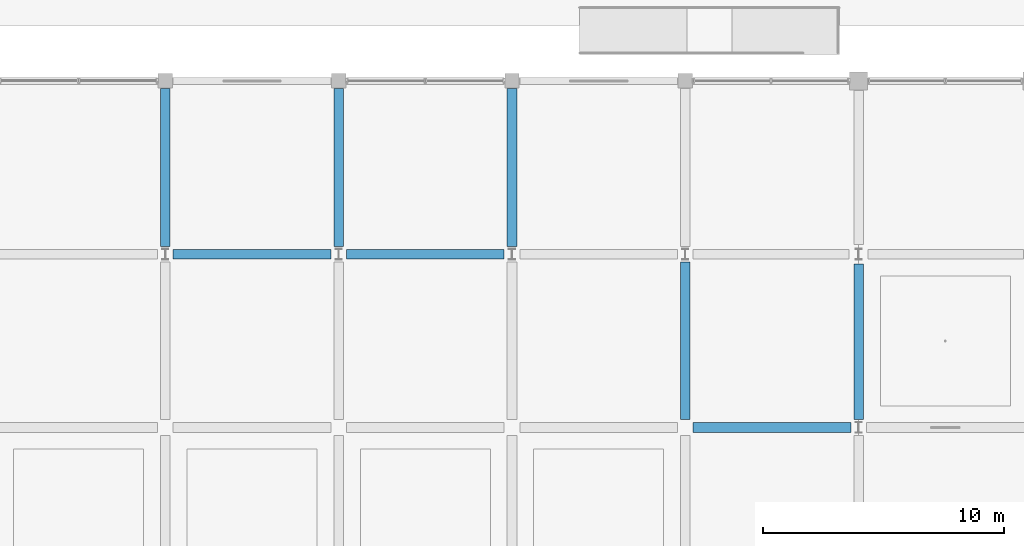
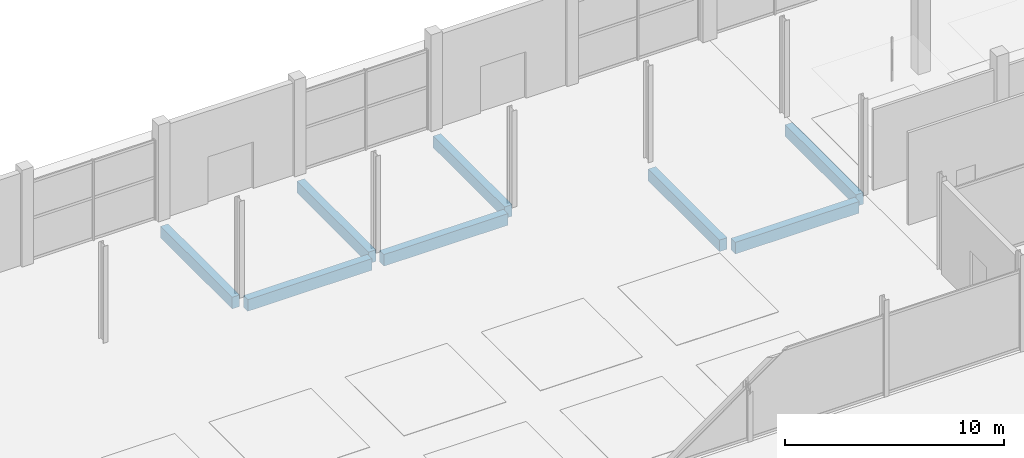
# One storey, part 27 of 90: 8 beams.
"""IFC4 building model written with IfcOpenShell, lengths in metres."""

from ifc_helpers import new_model, si_unit, direction, frame, origin, origin_2d, place, context, subcontext, project, spatial, rectangle, extrude, material, material_profile, profile_set, type_object, element, save


model = new_model("IFC4")

# Units and contexts
model_context = context("Model", 3, precision=1e-05, world=origin(), true_north=direction((0.0, 1.0)))
body_context = subcontext(model_context, "Body", "Model", "MODEL_VIEW")
ifc_project = project(units=[si_unit("LENGTHUNIT", "METRE"), si_unit("AREAUNIT", "SQUARE_METRE"), si_unit("VOLUMEUNIT", "CUBIC_METRE"), si_unit("PLANEANGLEUNIT", "RADIAN"), si_unit("MASSUNIT", "GRAM", prefix="KILO")], contexts=[model_context])

# Site, building, storey
site_placement = place(None, origin())
site = spatial("IfcSite", under=ifc_project, at=site_placement, CompositionType="ELEMENT")
building_placement = place(site_placement, origin())
building = spatial("IfcBuilding", under=site, at=building_placement, Name="Kangsadwip Square Police Headquarters", CompositionType="ELEMENT")
storey_placement = place(building_placement, origin())
storey = spatial("IfcBuildingStorey", under=building, at=storey_placement, Name="L00", CompositionType="ELEMENT", Elevation=0.0)

# Beams
ifc_material = material(Name="Concrete M35 (35 MPa)", Category="concrete")
ifc_material_profile = material_profile(ifc_material, rectangle(XDim=0.39990234375, YDim=0.64990234375, at=origin_2d()), Name="RC BM 650X400")
ifc_profile_set = profile_set([ifc_material_profile], Name="Concrete M35 (35 MPa)")
beam_type = type_object("IfcBeamType", Name="RcBeam650x400", PredefinedType="BEAM", material=ifc_profile_set)
beam_1_placement = place(storey_placement, frame((86.72509765625, 100.800048828125, -0.574951171875), z_axis=(1.0, 0.0, 0.0), x_axis=(0.0, 1.0, 0.0)))
element("IfcBeam", 1, at=beam_1_placement, inside=storey, type_object=beam_type, Name="Beam BM-L00-X-12-14", PredefinedType="BEAM", context=body_context, shape_type="SweptSolid", body=[
    extrude(rectangle(XDim=0.39990234375, YDim=0.64990234375, at=origin_2d()), origin(), (0.0, 0.0, 1.0), 6.5498046875),
])
for number, where, z_axis, x_axis, name in (
    (2, (65.125, 108.0, -0.574951171875), (1.0, 0.0, 0.0), (0.0, 1.0, 0.0), "Beam BM-L00-X-09-15"),
    (3, (72.324951171875, 108.0, -0.574951171875), (1.0, 0.0, 0.0), (0.0, 1.0, 0.0), "Beam BM-L00-X-10-15"),
    (4, (64.800048828125, 108.324951171875, -0.574951171875), (0.0, 1.0, 0.0), (-1.0, 0.0, 0.0), "Beam BM-L00-Y-09-15"),
    (5, (72.0, 108.324951171875, -0.574951171875), (0.0, 1.0, 0.0), (-1.0, 0.0, 0.0), "Beam BM-L00-Y-10-15"),
    (6, (79.199951171875, 108.324951171875, -0.574951171875), (0.0, 1.0, 0.0), (-1.0, 0.0, 0.0), "Beam BM-L00-Y-11-15"),
    (7, (86.39990234375, 101.125, -0.574951171875), (0.0, 1.0, 0.0), (-1.0, 0.0, 0.0), "Beam BM-L00-Y-12-14"),
):
    element("IfcBeam", number, at=place(storey_placement, frame(where, z_axis=z_axis, x_axis=x_axis)), inside=storey, type_object=beam_type, Name=name, PredefinedType="BEAM", context=body_context, shape_type="SweptSolid", body=[
        extrude(rectangle(XDim=0.39990234375, YDim=0.64990234375, at=origin_2d()), origin(), (0.0, 0.0, 1.0), 6.550048828125),
    ])
beam_2_placement = place(storey_placement, frame((93.60009765625, 101.125, -0.574951171875), z_axis=(0.0, 1.0, 0.0), x_axis=(-1.0, 0.0, 0.0)))
element("IfcBeam", 8, at=beam_2_placement, inside=storey, type_object=beam_type, Name="Beam BM-L00-Y-13-14", PredefinedType="BEAM", context=body_context, shape_type="SweptSolid", body=[
    extrude(rectangle(XDim=0.39990234375, YDim=0.64990234375, at=origin_2d()), origin(), (0.0, 0.0, 1.0), 6.47509765625),
])

save(model, "model.ifc")
